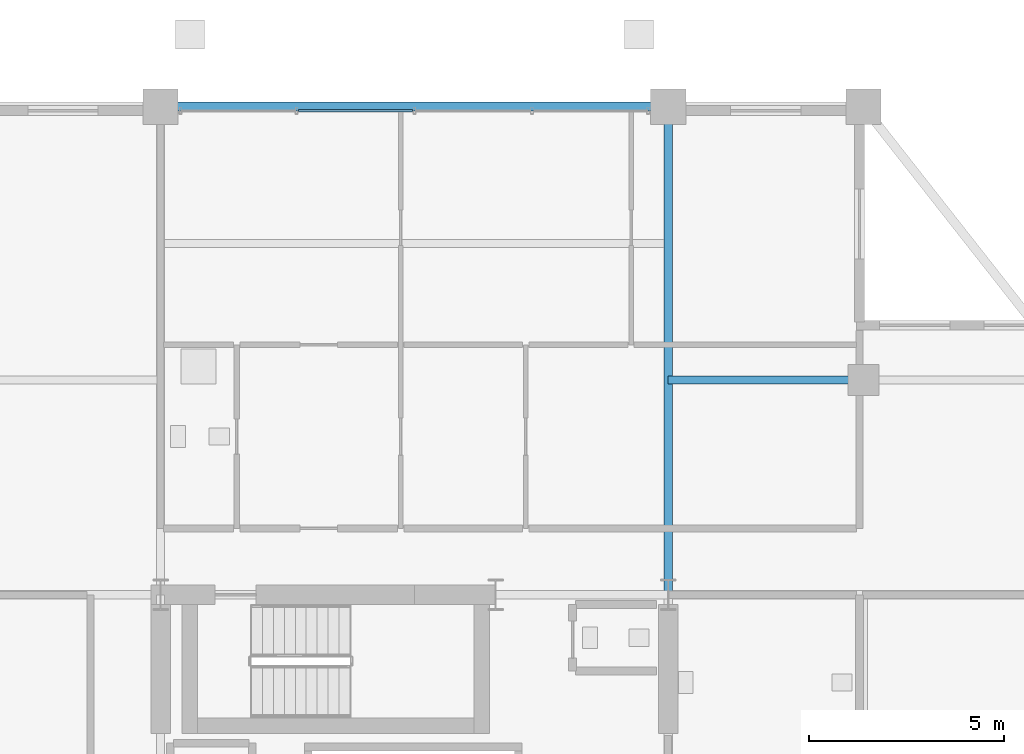
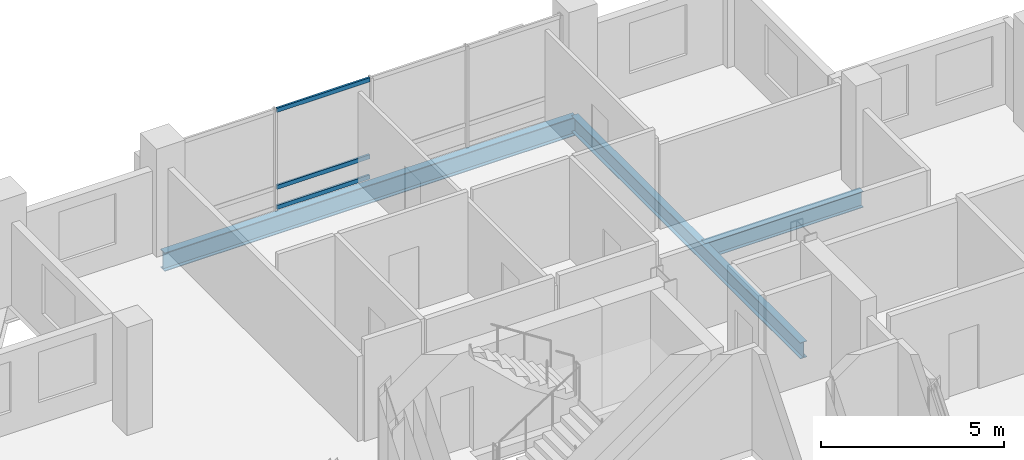
# One storey, part 13 of 21: 3 beams, 3 members, 1 element without a shape of its own.
"""IFC4 building model written with IfcOpenShell, lengths in metres."""

import ifcopenshell
import ifcopenshell.guid

model = None  # the IFC model being written
_history = None  # IfcOwnerHistory: only IFC2X3 demands one
_inside = {}  # id of a spatial element -> (the spatial element, [elements in it])
_under = {}  # id of a project, library or spatial element -> (it, [spatial elements below it])
_declared = {}  # id of a project -> (the project, [libraries it declares])
_typed = {}  # id of a type object -> (the type object, [elements of that type])
_made_of = {}  # id of a material, layer set ... -> (it, [elements and type objects made of it])


def new_model(schema):
    """Start an empty IFC model of exactly this schema.

    Asked for "IFC4X3", IfcOpenShell would pick the latest addendum, in which some entities
    have other attributes; the version numbers below select the first issue.
    IFC2X3 requires an IfcOwnerHistory on every rooted entity: one is made here for all.
    """
    global model, _history
    if schema == "IFC4X3":
        model = ifcopenshell.file(schema_version=(4, 3, 0, 0))
    else:
        model = ifcopenshell.file(schema=schema)
    _inside.clear()
    _under.clear()
    _declared.clear()
    _typed.clear()
    _made_of.clear()
    _history = None
    if model.schema == "IFC2X3":
        org = make("IfcOrganization", Name="unknown")
        user = make(
            "IfcPersonAndOrganization",
            ThePerson=make("IfcPerson", FamilyName="unknown"),
            TheOrganization=org,
        )
        app = make(
            "IfcApplication",
            ApplicationDeveloper=org,
            Version="unknown",
            ApplicationFullName="unknown",
            ApplicationIdentifier="unknown",
        )
        _history = make(
            "IfcOwnerHistory",
            OwningUser=user,
            OwningApplication=app,
            ChangeAction="ADDED",
            CreationDate=0,
        )
    return model


def make(cls, **values):
    """One entity of the class cls with the attributes given. An attribute that is None is left unset."""
    return model.create_entity(
        cls, **{name: value for name, value in values.items() if value is not None}
    )


def rooted(cls, **values):
    """An entity with a GlobalId (a new one), such as an element, a storey or a relation."""
    return make(cls, GlobalId=ifcopenshell.guid.new(), OwnerHistory=_history, **values)


def si_unit(unit_type, name, prefix=None):
    """IfcSIUnit, for example si_unit("LENGTHUNIT", "METRE", prefix="MILLI")."""
    return make("IfcSIUnit", UnitType=unit_type, Prefix=prefix, Name=name)


def assignment(units):
    """IfcUnitAssignment: the units of a project."""
    return None if units is None else make("IfcUnitAssignment", Units=units)


def point(xyz):
    """IfcCartesianPoint."""
    return None if xyz is None else make("IfcCartesianPoint", Coordinates=xyz)


def direction(xyz):
    """IfcDirection."""
    return None if xyz is None else make("IfcDirection", DirectionRatios=xyz)


def frame(location, z_axis=None, x_axis=None):
    """IfcAxis2Placement3D, a coordinate frame: its origin and axes. An axis left out is left unset."""
    return make(
        "IfcAxis2Placement3D",
        Location=point(location),
        Axis=direction(z_axis),
        RefDirection=direction(x_axis),
    )


def frame_2d(location, x_axis=None):
    """IfcAxis2Placement2D, a coordinate frame in the plane: its origin and x axis."""
    return make(
        "IfcAxis2Placement2D", Location=point(location), RefDirection=direction(x_axis)
    )


def origin():
    """The frame at (0, 0, 0) with its axes left unset."""
    return frame((0.0, 0.0, 0.0))


def origin_2d():
    """The frame at (0, 0) in the plane with its x axis left unset."""
    return frame_2d((0.0, 0.0))


def place(relative_to, where):
    """IfcLocalPlacement: puts the frame where relative to a parent placement (None: the world)."""
    return make(
        "IfcLocalPlacement", PlacementRelTo=relative_to, RelativePlacement=where
    )


def context(
    kind, dimensions, precision=None, world=None, true_north=None, identifier=None
):
    """IfcGeometricRepresentationContext, for example the 3D "Model" context."""
    return make(
        "IfcGeometricRepresentationContext",
        ContextIdentifier=identifier,
        ContextType=kind,
        CoordinateSpaceDimension=dimensions,
        Precision=precision,
        WorldCoordinateSystem=world,
        TrueNorth=true_north,
    )


def subcontext(parent, identifier, kind, view, scale=None):
    """IfcGeometricRepresentationSubContext, for example "Body" below "Model"."""
    return make(
        "IfcGeometricRepresentationSubContext",
        ContextIdentifier=identifier,
        ContextType=kind,
        ParentContext=parent,
        TargetScale=scale,
        TargetView=view,
    )


def project(units=None, contexts=None):
    """IfcProject with its units and contexts."""
    return rooted(
        "IfcProject",
        Name="project",
        RepresentationContexts=contexts,
        UnitsInContext=assignment(units),
    )


def spatial(cls, under=None, at=None, **own):
    """A site, building, storey or space (cls), placed at a placement, below another one or the project."""
    s = rooted(cls, ObjectPlacement=at, **own)
    if under is not None:
        _under.setdefault(under.id(), (under, []))[1].append(s)
    return s


def profile(cls, at=None, kind="AREA", **sizes):
    """A parametric profile (cls). Its sizes go by their IFC names, for example OverallWidth=200.0."""
    return make(cls, ProfileType=kind, Position=at, **sizes)


def hollow_rectangle(**sizes):
    """IfcRectangleHollowProfileDef."""
    return profile("IfcRectangleHollowProfileDef", **sizes)


def i_section(**sizes):
    """IfcIShapeProfileDef."""
    return profile("IfcIShapeProfileDef", **sizes)


def extrude(swept, where, along, depth):
    """IfcExtrudedAreaSolid: the profile swept, set in the frame where, extruded along a direction by depth."""
    return make(
        "IfcExtrudedAreaSolid",
        SweptArea=swept,
        Position=where,
        ExtrudedDirection=direction(along),
        Depth=depth,
    )


def shape(context_of_items, identifier, shape_type, items):
    """IfcShapeRepresentation: the items that make up one representation, for example the "Body"."""
    return make(
        "IfcShapeRepresentation",
        ContextOfItems=context_of_items,
        RepresentationIdentifier=identifier,
        RepresentationType=shape_type,
        Items=items,
    )


def material(Name=None, Category=None):
    """IfcMaterial."""
    return make("IfcMaterial", Name=Name, Category=Category)


def layer(
    of_material, thickness, ventilated=None, Name=None, Category=None, Priority=None
):
    """IfcMaterialLayer: one layer of a wall or slab, of a material (None: an air gap)."""
    return make(
        "IfcMaterialLayer",
        Material=of_material,
        LayerThickness=thickness,
        IsVentilated=ventilated,
        Name=Name,
        Category=Category,
        Priority=Priority,
    )


def layer_set(layers, Name=None):
    """IfcMaterialLayerSet."""
    return make("IfcMaterialLayerSet", MaterialLayers=layers, LayerSetName=Name)


def material_profile(
    of_material, cross_section, Name=None, Category=None, Priority=None
):
    """IfcMaterialProfile: a cross section and its material."""
    return make(
        "IfcMaterialProfile",
        Name=Name,
        Material=of_material,
        Profile=cross_section,
        Priority=Priority,
        Category=Category,
    )


def profile_set(profiles, Name=None, composite=None):
    """IfcMaterialProfileSet."""
    return make(
        "IfcMaterialProfileSet",
        Name=Name,
        MaterialProfiles=profiles,
        CompositeProfile=composite,
    )


def made_of(thing, what):
    """Note that an element or type object is made of a material, layer set ...; save() writes the relation."""
    if what is not None:
        _made_of.setdefault(what.id(), (what, []))[1].append(thing)
    return thing


def type_object(cls, material=None, **own):
    """A type object (cls), such as IfcWallType, which elements share."""
    return made_of(rooted(cls, **own), material)


def element(
    cls,
    number,
    at=None,
    inside=None,
    cuts=None,
    type_object=None,
    material=None,
    context=None,
    identifier="Body",
    shape_type=None,
    held_by="IfcProductDefinitionShape",
    body=None,
    shapes=None,
    **own,
):
    """One element of the class cls, such as IfcWall. Its Tag is "e" and its number.

    at: its placement. inside: the storey or other place that contains it. cuts: it is an
    opening in that element (IfcRelVoidsElement). A single representation is given by context,
    identifier, shape_type and body (its items); several are given by shapes. held_by: the class
    of the entity that holds the representations. save() writes the other relations.
    """
    e = rooted(cls, Tag="e%d" % number, ObjectPlacement=at, **own)
    if body is not None:
        shapes = [shape(context, identifier, shape_type, body)]
    if shapes is not None:
        e.Representation = make(held_by, Representations=shapes)
    if inside is not None:
        _inside.setdefault(inside.id(), (inside, []))[1].append(e)
    if cuts is not None:
        rooted(
            "IfcRelVoidsElement", RelatingBuildingElement=cuts, RelatedOpeningElement=e
        )
    if type_object is not None:
        _typed.setdefault(type_object.id(), (type_object, []))[1].append(e)
    return made_of(e, material)


def aggregate(whole, parts):
    """IfcRelAggregates: a whole, such as a stair, and the parts it consists of."""
    return rooted("IfcRelAggregates", RelatingObject=whole, RelatedObjects=parts)


def save(model, path):
    """Write the relations noted so far, then the file.

    IfcRelAggregates (storeys below a building ...), IfcRelContainedInSpatialStructure (elements
    in a storey), IfcRelDefinesByType, IfcRelAssociatesMaterial and IfcRelDeclares: one each for
    every whole, place, type object, material and project.
    """
    for whole, parts in _under.values():
        aggregate(whole, parts)
    for where, things in _inside.values():
        rooted(
            "IfcRelContainedInSpatialStructure",
            RelatedElements=things,
            RelatingStructure=where,
        )
    for kind, things in _typed.values():
        rooted("IfcRelDefinesByType", RelatedObjects=things, RelatingType=kind)
    for what, things in _made_of.values():
        rooted("IfcRelAssociatesMaterial", RelatedObjects=things, RelatingMaterial=what)
    for by, libraries in _declared.values():
        rooted("IfcRelDeclares", RelatingContext=by, RelatedDefinitions=libraries)
    model.write(path)


model = new_model("IFC4")

# Units and contexts
model_context = context("Model", 3, precision=1e-05, world=origin(), true_north=direction((0.0, 1.0)))
body_context = subcontext(model_context, "Body", "Model", "MODEL_VIEW")
ifc_project = project(units=[si_unit("LENGTHUNIT", "METRE"), si_unit("AREAUNIT", "SQUARE_METRE"), si_unit("VOLUMEUNIT", "CUBIC_METRE"), si_unit("PLANEANGLEUNIT", "RADIAN"), si_unit("MASSUNIT", "GRAM", prefix="KILO")], contexts=[model_context])

# Site, building, storey
site_placement = place(None, origin())
site = spatial("IfcSite", under=ifc_project, at=site_placement, CompositionType="ELEMENT")
building_placement = place(site_placement, origin())
building = spatial("IfcBuilding", under=site, at=building_placement, Name="Barlavira Tower and Art Museum", CompositionType="ELEMENT")
storey_placement = place(building_placement, frame((0.0, 0.0, 222.300048828125)))
storey = spatial("IfcBuildingStorey", under=building, at=storey_placement, Name="L57", CompositionType="ELEMENT", Elevation=222.300048828125)

# Curtain wall, members
ifc_material_1 = material(Name="Low-iron coastal laminated glass", Category="glass")
ifc_layer = layer(ifc_material_1, 0.2099609375, Name="Low-iron coastal laminated glass")
ifc_layer_set = layer_set([ifc_layer], Name="Low-iron coastal laminated glass")
curtain_wall_type = type_object("IfcCurtainWallType", Name="Pale-Metal Unitised Curtain Wall Zone 4", PredefinedType="NOTDEFINED", material=ifc_layer_set)
curtain_wall_placement = place(storey_placement, origin())
curtain_wall = element("IfcCurtainWall", 1, at=curtain_wall_placement, inside=storey, type_object=curtain_wall_type, Name="L57 Curtain Wall CW4-L57-N-B2", PredefinedType="NOTDEFINED")
ifc_material_2 = material(Name="Pale anodised aluminium", Category="aluminium")
ifc_material_profile_1 = material_profile(ifc_material_2, hollow_rectangle(XDim=0.06494140625, YDim=0.139892578125, WallThickness=0.00390625, at=origin_2d()), Name="ALU-TRAN 65x140x4")
ifc_profile_set_1 = profile_set([ifc_material_profile_1], Name="Pale anodised aluminium")
member_type = type_object("IfcMemberType", Name="Curtain Wall Pale-Metal Transom 65x140", PredefinedType="USERDEFINED", material=ifc_profile_set_1)
member_1_placement = place(storey_placement, frame((-0.044921875, 19.89990234375, 0.070068359375), z_axis=(-1.0, 0.0, 0.0), x_axis=(0.0, -1.0, 0.0)))
member_1 = element("IfcMember", 2, at=member_1_placement, type_object=member_type, Name="CW4-L57-N-B2 Transom 2.1", ObjectType="TRANSOM", PredefinedType="USERDEFINED", context=body_context, shape_type="SweptSolid", body=[
    extrude(hollow_rectangle(XDim=0.06494140625, YDim=0.139892578125, WallThickness=0.00390625, at=origin_2d()), origin(), (0.0, 0.0, 1.0), 2.925048828125),
])
member_2_placement = place(storey_placement, frame((-0.044921875, 19.89990234375, 0.743896484375), z_axis=(-1.0, 0.0, 0.0), x_axis=(0.0, -1.0, 0.0)))
member_2 = element("IfcMember", 3, at=member_2_placement, type_object=member_type, Name="CW4-L57-N-B2 Transom 2.2", ObjectType="TRANSOM", PredefinedType="USERDEFINED", context=body_context, shape_type="SweptSolid", body=[
    extrude(hollow_rectangle(XDim=0.06494140625, YDim=0.139892578125, WallThickness=0.00390625, at=origin_2d()), origin(), (0.0, 0.0, 1.0), 2.925048828125),
])
member_3_placement = place(storey_placement, frame((-0.044921875, 19.89990234375, 3.31005859375), z_axis=(-1.0, 0.0, 0.0), x_axis=(0.0, -1.0, 0.0)))
member_3 = element("IfcMember", 4, at=member_3_placement, type_object=member_type, Name="CW4-L57-N-B2 Transom 2.3", ObjectType="TRANSOM", PredefinedType="USERDEFINED", context=body_context, shape_type="SweptSolid", body=[
    extrude(hollow_rectangle(XDim=0.06494140625, YDim=0.139892578125, WallThickness=0.00390625, at=origin_2d()), origin(), (0.0, 0.0, 1.0), 2.925048828125),
])
aggregate(curtain_wall, [member_1, member_2, member_3])

# Beams
ifc_material_3 = material(Name="Steel S355", Category="steel")
ifc_material_profile_2 = material_profile(ifc_material_3, i_section(OverallWidth=0.22998046875, OverallDepth=0.616943359375, WebThickness=0.01318359375, FlangeThickness=0.022216796875, at=origin_2d()), Name="W610x140.0")
ifc_profile_set_2 = profile_set([ifc_material_profile_2], Name="Steel S355")
beam_type_1 = type_object("IfcBeamType", Name="Upper Shaft Spandrel Edge Beam W610x140 Steel S355", PredefinedType="SPANDREL", material=ifc_profile_set_2)
beam_1_placement = place(storey_placement, frame((-6.5, 20.0, -0.528564453125), z_axis=(1.0, 0.0, 0.0), x_axis=(0.0, 1.0, 0.0)))
element("IfcBeam", 5, at=beam_1_placement, inside=storey, type_object=beam_type_1, Name="L57 Spandrel 10", PredefinedType="SPANDREL", context=body_context, shape_type="SweptSolid", body=[
    extrude(i_section(OverallWidth=0.22998046875, OverallDepth=0.616943359375, WebThickness=0.01318359375, FlangeThickness=0.022216796875, at=origin_2d()), origin(), (0.0, 0.0, 1.0), 13.0),
])
ifc_material_profile_3 = material_profile(ifc_material_3, i_section(OverallWidth=0.2109375, OverallDepth=0.5390625, WebThickness=0.01171875, FlangeThickness=0.018798828125, at=origin_2d()), Name="W530x109.0")
ifc_profile_set_3 = profile_set([ifc_material_profile_3], Name="Steel S355")
beam_type_2 = type_object("IfcBeamType", Name="Zone 3-4 Primary Floor Girder W530x109 Steel S355", PredefinedType="BEAM", material=ifc_profile_set_3)
beam_2_placement = place(storey_placement, frame((6.5, 7.5, -0.489501953125), z_axis=(0.0, 1.0, 0.0), x_axis=(-1.0, 0.0, 0.0)))
element("IfcBeam", 6, at=beam_2_placement, inside=storey, type_object=beam_type_2, Name="L57 Girder R-N2", PredefinedType="BEAM", context=body_context, shape_type="SweptSolid", body=[
    extrude(i_section(OverallWidth=0.2109375, OverallDepth=0.5390625, WebThickness=0.01171875, FlangeThickness=0.018798828125, at=origin_2d()), origin(), (0.0, 0.0, 1.0), 12.5),
])
beam_3_placement = place(storey_placement, frame((6.5, 13.0, -0.489501953125), z_axis=(1.0, 0.0, 0.0), x_axis=(0.0, 1.0, 0.0)))
element("IfcBeam", 7, at=beam_3_placement, inside=storey, type_object=beam_type_2, Name="L57 Girder I-N3", PredefinedType="BEAM", context=body_context, shape_type="SweptSolid", body=[
    extrude(i_section(OverallWidth=0.2109375, OverallDepth=0.5390625, WebThickness=0.01171875, FlangeThickness=0.018798828125, at=origin_2d()), origin(), (0.0, 0.0, 1.0), 5.0),
])

save(model, "model.ifc")
